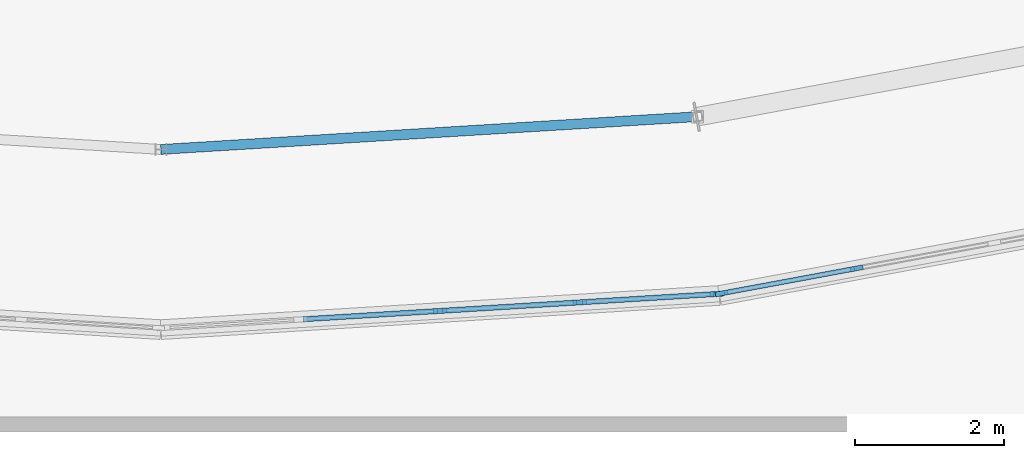
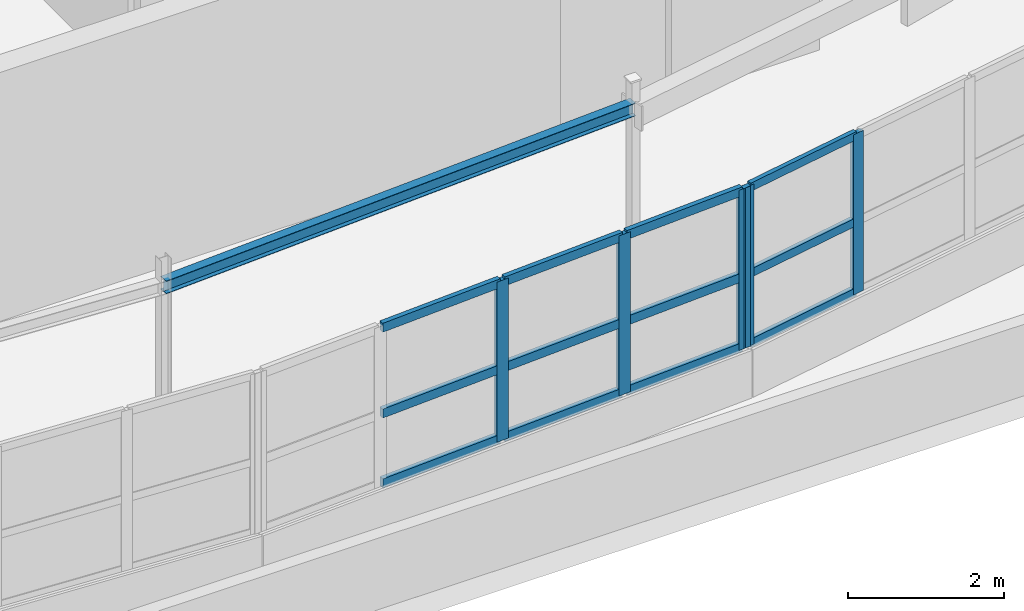
# One storey, part 30 of 128: 17 members, 1 beam, 2 elements without a shape of their own.
"""IFC4 building model written with IfcOpenShell, lengths in metres."""

from ifc_helpers import new_model, si_unit, direction, frame, origin, origin_2d, place, context, subcontext, project, spatial, rectangle, i_section, extrude, material, layer, layer_set, material_profile, profile_set, type_object, element, aggregate, save


model = new_model("IFC4")

# Units and contexts
model_context = context("Model", 3, precision=1e-05, world=origin(), true_north=direction((0.0, 1.0)))
body_context = subcontext(model_context, "Body", "Model", "MODEL_VIEW")
ifc_project = project(units=[si_unit("LENGTHUNIT", "METRE"), si_unit("AREAUNIT", "SQUARE_METRE"), si_unit("VOLUMEUNIT", "CUBIC_METRE"), si_unit("PLANEANGLEUNIT", "RADIAN"), si_unit("MASSUNIT", "GRAM", prefix="KILO")], contexts=[model_context])

# Site, building, storey
site_placement = place(None, origin())
site = spatial("IfcSite", under=ifc_project, at=site_placement, CompositionType="ELEMENT")
building_placement = place(site_placement, origin())
building = spatial("IfcBuilding", under=site, at=building_placement, Name="Tarnwether General Hospital", CompositionType="ELEMENT")
storey_placement = place(building_placement, frame((0.0, 0.0, 14.39990234375)))
storey = spatial("IfcBuildingStorey", under=building, at=storey_placement, Name="L03", CompositionType="ELEMENT", Elevation=14.39990234375)

# Beam
ifc_material_1 = material(Name="Steel Grade 350 (350 MPa)", Category="steel")
ifc_material_profile_1 = material_profile(ifc_material_1, i_section(OverallWidth=0.133056640625, OverallDepth=0.201904296875, WebThickness=0.0048828125, FlangeThickness=0.007080078125, at=origin_2d()), Name="200UB22.3")
ifc_profile_set_1 = profile_set([ifc_material_profile_1], Name="Steel Grade 350 (350 MPa)")
beam_type = type_object("IfcBeamType", Name="BM-SP6", PredefinedType="SPANDREL", material=ifc_profile_set_1)
beam_placement = place(storey_placement, frame((92.0, 3.800048828125, 3.458984375), z_axis=(0.998137964221, 0.060996757127, 0.0), x_axis=(-0.060996757127, 0.998137964221, 0.0)))
element("IfcBeam", 1, at=beam_placement, inside=storey, type_object=beam_type, Name="Curved Ward SE Outer Spandrel BMG-L03-9200_380-9922_424-2119", PredefinedType="SPANDREL", context=body_context, shape_type="SweptSolid", body=[
    extrude(i_section(OverallWidth=0.133056640625, OverallDepth=0.201904296875, WebThickness=0.0048828125, FlangeThickness=0.007080078125, at=origin_2d()), origin(), (0.0, 0.0, 1.0), 7.228515625),
])

# Curtain wall, members
ifc_material_2 = material(Name="Anodised aluminium", Category="aluminium")
ifc_layer = layer(ifc_material_2, 0.179931640625)
ifc_layer_set = layer_set([ifc_layer], Name="Anodised aluminium")
curtain_wall_type = type_object("IfcCurtainWallType", Name="CW-08", PredefinedType="NOTDEFINED", material=ifc_layer_set)
curtain_wall_1_placement = place(storey_placement, origin())
curtain_wall_1 = element("IfcCurtainWall", 2, at=curtain_wall_1_placement, inside=storey, type_object=curtain_wall_type, Name="Curtain Wall CWG-L03-995_19-0159", PredefinedType="NOTDEFINED")
ifc_material_3 = material(Name="Anodised aluminium", Category="aluminium")
ifc_material_profile_2 = material_profile(ifc_material_3, rectangle(XDim=0.070068359375, YDim=0.179931640625, at=origin_2d()), Name="ALU-MUL-70x180")
ifc_profile_set_2 = profile_set([ifc_material_profile_2], Name="Anodised aluminium")
member_type_1 = type_object("IfcMemberType", Name="CW-ML2", PredefinedType="MULLION", material=ifc_profile_set_2)
member_1_placement = place(storey_placement, frame((99.47216796875, 1.85693359375, 1.050048828125), z_axis=(0.0, 0.0, 1.0), x_axis=(0.061028962567, -0.998135995608, 0.0)))
member_1 = element("IfcMember", 3, at=member_1_placement, type_object=member_type_1, Name="CW-08 mullion 1", PredefinedType="MULLION", context=body_context, shape_type="SweptSolid", body=[
    extrude(rectangle(XDim=0.070068359375, YDim=0.179931640625, at=origin_2d()), origin(), (0.0, 0.0, 1.0), 2.510009765625),
])
member_2_placement = place(storey_placement, frame((97.63037109375, 1.744140625, 1.050048828125), z_axis=(0.0, 0.0, 1.0), x_axis=(0.061028962567, -0.998135995608, 0.0)))
member_2 = element("IfcMember", 4, at=member_2_placement, type_object=member_type_1, Name="CW-08 mullion 2", PredefinedType="MULLION", context=body_context, shape_type="SweptSolid", body=[
    extrude(rectangle(XDim=0.070068359375, YDim=0.179931640625, at=origin_2d()), origin(), (0.0, 0.0, 1.0), 2.510009765625),
])
member_3_placement = place(storey_placement, frame((95.75341796875, 1.62939453125, 1.050048828125), z_axis=(0.0, 0.0, 1.0), x_axis=(0.061028962567, -0.998135995608, 0.0)))
member_3 = element("IfcMember", 5, at=member_3_placement, type_object=member_type_1, Name="CW-08 mullion 3", PredefinedType="MULLION", context=body_context, shape_type="SweptSolid", body=[
    extrude(rectangle(XDim=0.070068359375, YDim=0.179931640625, at=origin_2d()), origin(), (0.0, 0.0, 1.0), 2.510009765625),
])

curtain_wall_2_placement = place(storey_placement, origin())
curtain_wall_2 = element("IfcCurtainWall", 6, at=curtain_wall_2_placement, inside=storey, type_object=curtain_wall_type, Name="Curtain Wall CWG-L03-1069_32-0160", PredefinedType="NOTDEFINED")
ifc_material_4 = material(Name="Anodised aluminium", Category="aluminium")
ifc_material_profile_3 = material_profile(ifc_material_4, rectangle(XDim=0.06494140625, YDim=0.169921875, at=origin_2d()), Name="ALU-MUL-65x170")
ifc_profile_set_3 = profile_set([ifc_material_profile_3], Name="Anodised aluminium")
member_type_2 = type_object("IfcMemberType", Name="CW-ML3", PredefinedType="MULLION", material=ifc_profile_set_3)
member_4_placement = place(storey_placement, frame((101.355712890625, 2.20166015625, 1.050048828125), z_axis=(0.0, 0.0, 1.0), x_axis=(0.182289226614, -0.983244953132, 0.0)))
member_4 = element("IfcMember", 7, at=member_4_placement, type_object=member_type_2, Name="CW-08 mullion 4", PredefinedType="MULLION", context=body_context, shape_type="SweptSolid", body=[
    extrude(rectangle(XDim=0.06494140625, YDim=0.169921875, at=origin_2d()), origin(), (0.0, 0.0, 1.0), 2.510009765625),
])
member_5_placement = place(storey_placement, frame((99.5390625, 1.864990234375, 1.050048828125), z_axis=(0.0, 0.0, 1.0), x_axis=(0.182289226614, -0.983244953132, 0.0)))
member_5 = element("IfcMember", 8, at=member_5_placement, type_object=member_type_2, Name="CW-08 mullion 5", PredefinedType="MULLION", context=body_context, shape_type="SweptSolid", body=[
    extrude(rectangle(XDim=0.06494140625, YDim=0.169921875, at=origin_2d()), origin(), (0.0, 0.0, 1.0), 2.510009765625),
])

# Member
ifc_material_5 = material(Name="Anodised aluminium", Category="aluminium")
ifc_material_profile_4 = material_profile(ifc_material_5, rectangle(XDim=0.070068359375, YDim=0.139892578125, at=origin_2d()), Name="ALU-TRN-70x140")
ifc_profile_set_4 = profile_set([ifc_material_profile_4], Name="Anodised aluminium")
member_type_3 = type_object("IfcMemberType", Name="CW-TR2", PredefinedType="USERDEFINED", material=ifc_profile_set_4)
member_6_placement = place(storey_placement, frame((99.43701171875, 1.854736328125, 1.085205078125), z_axis=(-0.998133600873, -0.061068116134, 0.0), x_axis=(0.061068116134, -0.998133600873, 0.0)))
member_6 = element("IfcMember", 9, at=member_6_placement, type_object=member_type_3, Name="CW-08 transom 1.1", ObjectType="TRANSOM", PredefinedType="USERDEFINED", context=body_context, shape_type="SweptSolid", body=[
    extrude(rectangle(XDim=0.070068359375, YDim=0.139892578125, at=origin_2d()), origin(), (0.0, 0.0, 1.0), 1.775146484375),
])

member_7_placement = place(storey_placement, frame((99.43701171875, 1.854736328125, 2.1796875), z_axis=(-0.998133600873, -0.061068116134, 0.0), x_axis=(0.061068116134, -0.998133600873, 0.0)))
member_7 = element("IfcMember", 10, at=member_7_placement, type_object=member_type_3, Name="CW-08 transom 1.2", ObjectType="TRANSOM", PredefinedType="USERDEFINED", context=body_context, shape_type="SweptSolid", body=[
    extrude(rectangle(XDim=0.070068359375, YDim=0.139892578125, at=origin_2d()), origin(), (0.0, 0.0, 1.0), 1.775146484375),
])

member_8_placement = place(storey_placement, frame((99.43701171875, 1.854736328125, 3.525146484375), z_axis=(-0.998133600873, -0.061068116134, 0.0), x_axis=(0.061068116134, -0.998133600873, 0.0)))
member_8 = element("IfcMember", 11, at=member_8_placement, type_object=member_type_3, Name="CW-08 transom 1.3", ObjectType="TRANSOM", PredefinedType="USERDEFINED", context=body_context, shape_type="SweptSolid", body=[
    extrude(rectangle(XDim=0.070068359375, YDim=0.139892578125, at=origin_2d()), origin(), (0.0, 0.0, 1.0), 1.775146484375),
])

member_9_placement = place(storey_placement, frame((97.59521484375, 1.7421875, 1.085205078125), z_axis=(-0.998132040716, -0.061093610923, 0.0), x_axis=(0.061093610923, -0.998132040716, 0.0)))
member_9 = element("IfcMember", 12, at=member_9_placement, type_object=member_type_3, Name="CW-08 transom 2.1", ObjectType="TRANSOM", PredefinedType="USERDEFINED", context=body_context, shape_type="SweptSolid", body=[
    extrude(rectangle(XDim=0.070068359375, YDim=0.139892578125, at=origin_2d()), origin(), (0.0, 0.0, 1.0), 1.810302734375),
])

member_10_placement = place(storey_placement, frame((97.59521484375, 1.7421875, 2.1796875), z_axis=(-0.998132040716, -0.061093610923, 0.0), x_axis=(0.061093610923, -0.998132040716, 0.0)))
member_10 = element("IfcMember", 13, at=member_10_placement, type_object=member_type_3, Name="CW-08 transom 2.2", ObjectType="TRANSOM", PredefinedType="USERDEFINED", context=body_context, shape_type="SweptSolid", body=[
    extrude(rectangle(XDim=0.070068359375, YDim=0.139892578125, at=origin_2d()), origin(), (0.0, 0.0, 1.0), 1.810302734375),
])

member_11_placement = place(storey_placement, frame((97.59521484375, 1.7421875, 3.525146484375), z_axis=(-0.998132040716, -0.061093610923, 0.0), x_axis=(0.061093610923, -0.998132040716, 0.0)))
member_11 = element("IfcMember", 14, at=member_11_placement, type_object=member_type_3, Name="CW-08 transom 2.3", ObjectType="TRANSOM", PredefinedType="USERDEFINED", context=body_context, shape_type="SweptSolid", body=[
    extrude(rectangle(XDim=0.070068359375, YDim=0.139892578125, at=origin_2d()), origin(), (0.0, 0.0, 1.0), 1.810302734375),
])

member_12_placement = place(storey_placement, frame((95.718505859375, 1.62744140625, 1.085205078125), z_axis=(-0.998132040716, -0.061093610923, 0.0), x_axis=(0.061093610923, -0.998132040716, 0.0)))
member_12 = element("IfcMember", 15, at=member_12_placement, type_object=member_type_3, Name="CW-08 transom 3.1", ObjectType="TRANSOM", PredefinedType="USERDEFINED", context=body_context, shape_type="SweptSolid", body=[
    extrude(rectangle(XDim=0.070068359375, YDim=0.139892578125, at=origin_2d()), origin(), (0.0, 0.0, 1.0), 1.810302734375),
])

member_13_placement = place(storey_placement, frame((95.718505859375, 1.62744140625, 2.1796875), z_axis=(-0.998132040716, -0.061093610923, 0.0), x_axis=(0.061093610923, -0.998132040716, 0.0)))
member_13 = element("IfcMember", 16, at=member_13_placement, type_object=member_type_3, Name="CW-08 transom 3.2", ObjectType="TRANSOM", PredefinedType="USERDEFINED", context=body_context, shape_type="SweptSolid", body=[
    extrude(rectangle(XDim=0.070068359375, YDim=0.139892578125, at=origin_2d()), origin(), (0.0, 0.0, 1.0), 1.810302734375),
])

member_14_placement = place(storey_placement, frame((95.718505859375, 1.62744140625, 3.525146484375), z_axis=(-0.998132040716, -0.061093610923, 0.0), x_axis=(0.061093610923, -0.998132040716, 0.0)))
member_14 = element("IfcMember", 17, at=member_14_placement, type_object=member_type_3, Name="CW-08 transom 3.3", ObjectType="TRANSOM", PredefinedType="USERDEFINED", context=body_context, shape_type="SweptSolid", body=[
    extrude(rectangle(XDim=0.070068359375, YDim=0.139892578125, at=origin_2d()), origin(), (0.0, 0.0, 1.0), 1.810302734375),
])

aggregate(curtain_wall_1, [member_1, member_2, member_3, member_6, member_7, member_8, member_9, member_10, member_11, member_12, member_13, member_14])

ifc_material_6 = material(Name="Anodised aluminium", Category="aluminium")
ifc_material_profile_5 = material_profile(ifc_material_6, rectangle(XDim=0.06494140625, YDim=0.1298828125, at=origin_2d()), Name="ALU-TRN-65x130")
ifc_profile_set_5 = profile_set([ifc_material_profile_5], Name="Anodised aluminium")
member_type_4 = type_object("IfcMemberType", Name="CW-TR3", PredefinedType="USERDEFINED", material=ifc_profile_set_5)
member_15_placement = place(storey_placement, frame((101.32373046875, 2.19580078125, 1.08251953125), z_axis=(-0.983248388252, -0.182270697042, 0.0), x_axis=(0.182270697042, -0.983248388252, 0.0)))
member_15 = element("IfcMember", 18, at=member_15_placement, type_object=member_type_4, Name="CW-08 transom 4.1", ObjectType="TRANSOM", PredefinedType="USERDEFINED", context=body_context, shape_type="SweptSolid", body=[
    extrude(rectangle(XDim=0.06494140625, YDim=0.1298828125, at=origin_2d()), origin(), (0.0, 0.0, 1.0), 1.78271484375),
])

member_16_placement = place(storey_placement, frame((101.32373046875, 2.19580078125, 2.1796875), z_axis=(-0.983248388252, -0.182270697042, 0.0), x_axis=(0.182270697042, -0.983248388252, 0.0)))
member_16 = element("IfcMember", 19, at=member_16_placement, type_object=member_type_4, Name="CW-08 transom 4.2", ObjectType="TRANSOM", PredefinedType="USERDEFINED", context=body_context, shape_type="SweptSolid", body=[
    extrude(rectangle(XDim=0.06494140625, YDim=0.1298828125, at=origin_2d()), origin(), (0.0, 0.0, 1.0), 1.78271484375),
])

member_17_placement = place(storey_placement, frame((101.32373046875, 2.19580078125, 3.527587890625), z_axis=(-0.983248388252, -0.182270697042, 0.0), x_axis=(0.182270697042, -0.983248388252, 0.0)))
member_17 = element("IfcMember", 20, at=member_17_placement, type_object=member_type_4, Name="CW-08 transom 4.3", ObjectType="TRANSOM", PredefinedType="USERDEFINED", context=body_context, shape_type="SweptSolid", body=[
    extrude(rectangle(XDim=0.06494140625, YDim=0.1298828125, at=origin_2d()), origin(), (0.0, 0.0, 1.0), 1.78271484375),
])

aggregate(curtain_wall_2, [member_4, member_5, member_15, member_16, member_17])

save(model, "model.ifc")
